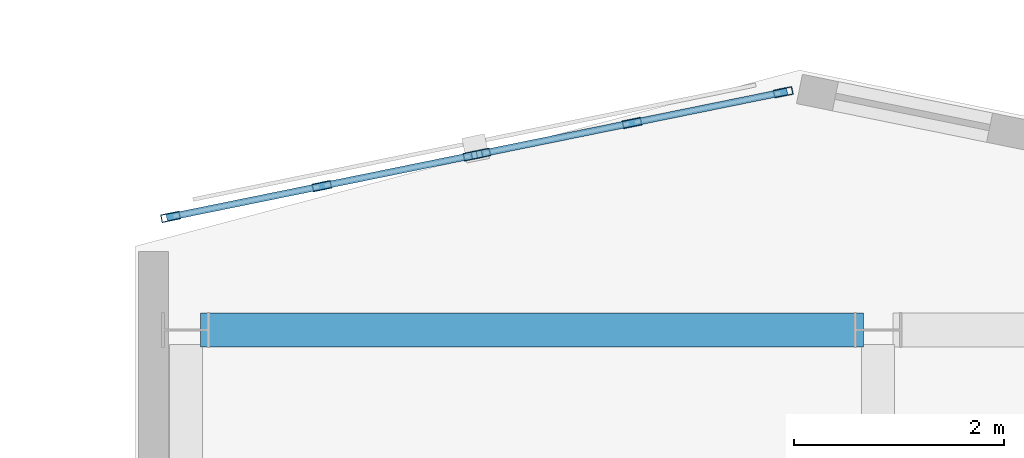
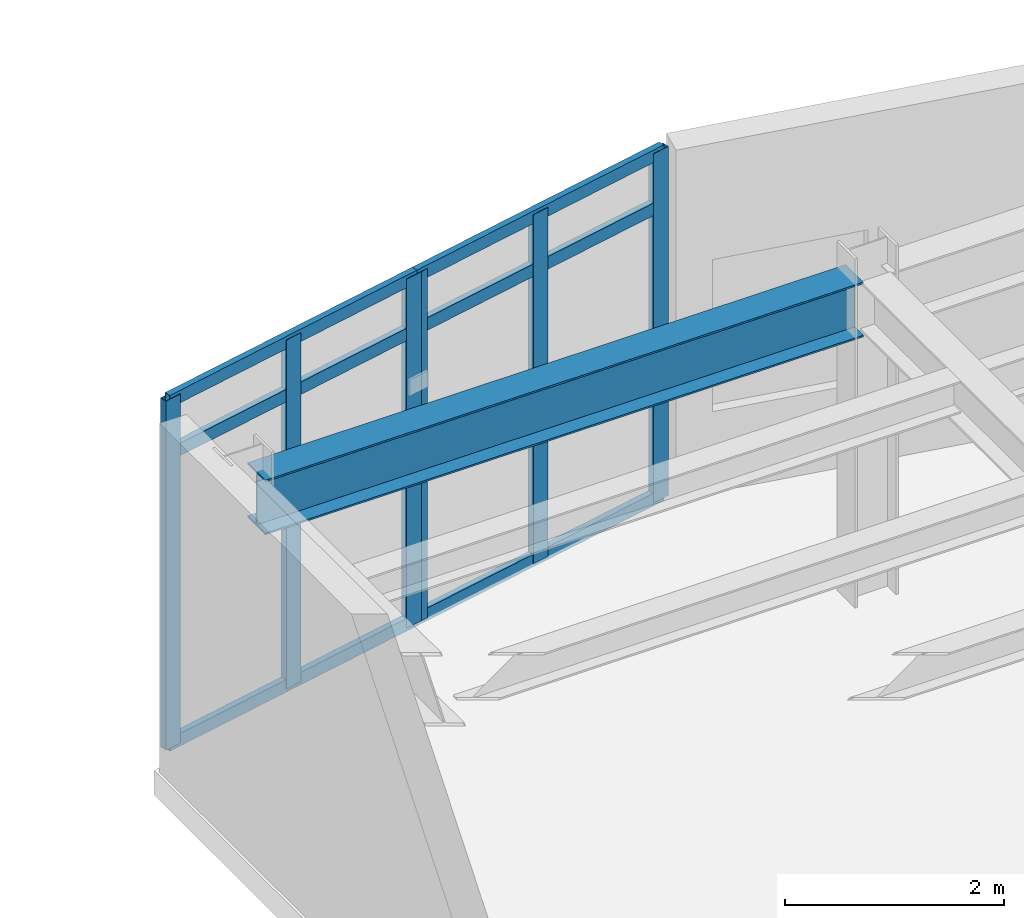
# One storey, part 12 of 46: 12 members, 1 beam, 2 elements without a shape of their own.
"""IFC4 building model written with IfcOpenShell, lengths in metres."""

from ifc_helpers import new_model, si_unit, direction, frame, origin, origin_2d, place, context, subcontext, project, spatial, hollow_rectangle, i_section, extrude, material, layer, layer_set, material_profile, profile_set, type_object, element, aggregate, save


model = new_model("IFC4")

# Units and contexts
model_context = context("Model", 3, precision=1e-05, world=origin(), true_north=direction((0.0, 1.0)))
body_context = subcontext(model_context, "Body", "Model", "MODEL_VIEW")
ifc_project = project(units=[si_unit("LENGTHUNIT", "METRE"), si_unit("AREAUNIT", "SQUARE_METRE"), si_unit("VOLUMEUNIT", "CUBIC_METRE"), si_unit("PLANEANGLEUNIT", "RADIAN"), si_unit("MASSUNIT", "GRAM", prefix="KILO")], contexts=[model_context])

# Site, building, storey
site_placement = place(None, origin())
site = spatial("IfcSite", under=ifc_project, at=site_placement, CompositionType="ELEMENT")
building_placement = place(site_placement, origin())
building = spatial("IfcBuilding", under=site, at=building_placement, Name="Sollismere Congress Hotel", CompositionType="ELEMENT")
storey_placement = place(building_placement, frame((0.0, 0.0, 19.5)))
storey = spatial("IfcBuildingStorey", under=building, at=storey_placement, Name="L04", CompositionType="ELEMENT", Elevation=19.5)

# Beam
ifc_material_1 = material(Name="Steel ASTM A992 Grade 50", Category="steel")
ifc_material_profile_1 = material_profile(ifc_material_1, i_section(OverallWidth=0.324951171875, OverallDepth=0.612060546875, WebThickness=0.0126953125, FlangeThickness=0.01904296875, at=origin_2d()), Name="W24X104")
ifc_profile_set_1 = profile_set([ifc_material_profile_1], Name="Steel ASTM A992 Grade 50")
beam_type = type_object("IfcBeamType", Name="BM-G24", PredefinedType="BEAM", material=ifc_profile_set_1)
beam_placement = place(storey_placement, frame((60.5400390625, 102.39990234375, 3.303955078125), z_axis=(1.0, 0.0, 0.0), x_axis=(0.0, 1.0, 0.0)))
element("IfcBeam", 1, at=beam_placement, inside=storey, type_object=beam_type, Name="Beam BM-L04-2712", PredefinedType="BEAM", context=body_context, shape_type="SweptSolid", body=[
    extrude(i_section(OverallWidth=0.324951171875, OverallDepth=0.612060546875, WebThickness=0.0126953125, FlangeThickness=0.01904296875, at=origin_2d()), origin(), (0.0, 0.0, 1.0), 6.320068359375),
])

# Curtain wall, members
ifc_material_2 = material(Name="Anodized Bronze Curtain Wall & Low-E Triple Glazing", Category="glass")
ifc_layer = layer(ifc_material_2, 0.199951171875, Name="Anodized Bronze Curtain Wall & Low-E Triple Glazing")
ifc_layer_set = layer_set([ifc_layer], Name="Anodized Bronze Curtain Wall & Low-E Triple Glazing")
curtain_wall_type = type_object("IfcCurtainWallType", Name="CW-GLZ36", PredefinedType="USERDEFINED", material=ifc_layer_set)
curtain_wall_1_placement = place(storey_placement, origin())
curtain_wall_1 = element("IfcCurtainWall", 2, at=curtain_wall_1_placement, inside=storey, type_object=curtain_wall_type, Name="Unitised curtain wall CW-L04-113", ObjectType="UNITISED CURTAIN WALL", PredefinedType="USERDEFINED")
ifc_material_3 = material(Name="Anodized Aluminum 6063-T6", Category="aluminium")
ifc_material_profile_2 = material_profile(ifc_material_3, hollow_rectangle(XDim=0.074951171875, YDim=0.179931640625, WallThickness=0.0048828125, at=origin_2d()), Name="ALU180X75X5")
ifc_profile_set_2 = profile_set([ifc_material_profile_2], Name="Anodized Aluminum 6063-T6")
member_type_1 = type_object("IfcMemberType", Name="ML-CW180", PredefinedType="MULLION", material=ifc_profile_set_2)
member_1_placement = place(storey_placement, frame((60.2548828125, 103.478759765625, 0.0), z_axis=(0.0, 0.0, 1.0), x_axis=(-0.199367934417, 0.979924704621, 0.0)))
member_1 = element("IfcMember", 3, at=member_1_placement, type_object=member_type_1, Name="CWL-CW-L04-113-ML01", PredefinedType="MULLION", context=body_context, shape_type="SweptSolid", body=[
    extrude(hollow_rectangle(XDim=0.074951171875, YDim=0.179931640625, WallThickness=0.0048828125, at=origin_2d()), origin(), (0.0, 0.0, 1.0), 3.89990234375),
])
member_2_placement = place(storey_placement, frame((61.6962890625, 103.772216796875, 0.0), z_axis=(0.0, 0.0, 1.0), x_axis=(-0.199367934417, 0.979924704621, 0.0)))
member_2 = element("IfcMember", 4, at=member_2_placement, type_object=member_type_1, Name="CWL-CW-L04-113-ML02", PredefinedType="MULLION", context=body_context, shape_type="SweptSolid", body=[
    extrude(hollow_rectangle(XDim=0.074951171875, YDim=0.179931640625, WallThickness=0.0048828125, at=origin_2d()), origin(), (0.0, 0.0, 1.0), 3.89990234375),
])
member_3_placement = place(storey_placement, frame((63.1376953125, 104.065185546875, 0.0), z_axis=(0.0, 0.0, 1.0), x_axis=(-0.199367934417, 0.979924704621, 0.0)))
member_3 = element("IfcMember", 5, at=member_3_placement, type_object=member_type_1, Name="CWL-CW-L04-113-ML03", PredefinedType="MULLION", context=body_context, shape_type="SweptSolid", body=[
    extrude(hollow_rectangle(XDim=0.074951171875, YDim=0.179931640625, WallThickness=0.0048828125, at=origin_2d()), origin(), (0.0, 0.0, 1.0), 3.89990234375),
])

curtain_wall_2_placement = place(storey_placement, origin())
curtain_wall_2 = element("IfcCurtainWall", 6, at=curtain_wall_2_placement, inside=storey, type_object=curtain_wall_type, Name="Unitised curtain wall CW-L04-114", ObjectType="UNITISED CURTAIN WALL", PredefinedType="USERDEFINED")
member_4_placement = place(storey_placement, frame((63.212158203125, 104.08056640625, 0.0), z_axis=(0.0, 0.0, 1.0), x_axis=(-0.199367934417, 0.979924704621, 0.0)))
member_4 = element("IfcMember", 7, at=member_4_placement, type_object=member_type_1, Name="CWL-CW-L04-114-ML01", PredefinedType="MULLION", context=body_context, shape_type="SweptSolid", body=[
    extrude(hollow_rectangle(XDim=0.074951171875, YDim=0.179931640625, WallThickness=0.0048828125, at=origin_2d()), origin(), (0.0, 0.0, 1.0), 3.89990234375),
])
member_5_placement = place(storey_placement, frame((64.65380859375, 104.373779296875, 0.0), z_axis=(0.0, 0.0, 1.0), x_axis=(-0.199367934417, 0.979924704621, 0.0)))
member_5 = element("IfcMember", 8, at=member_5_placement, type_object=member_type_1, Name="CWL-CW-L04-114-ML02", PredefinedType="MULLION", context=body_context, shape_type="SweptSolid", body=[
    extrude(hollow_rectangle(XDim=0.074951171875, YDim=0.179931640625, WallThickness=0.0048828125, at=origin_2d()), origin(), (0.0, 0.0, 1.0), 3.89990234375),
])
member_6_placement = place(storey_placement, frame((66.09521484375, 104.6669921875, 0.0), z_axis=(0.0, 0.0, 1.0), x_axis=(-0.199367934417, 0.979924704621, 0.0)))
member_6 = element("IfcMember", 9, at=member_6_placement, type_object=member_type_1, Name="CWL-CW-L04-114-ML03", PredefinedType="MULLION", context=body_context, shape_type="SweptSolid", body=[
    extrude(hollow_rectangle(XDim=0.074951171875, YDim=0.179931640625, WallThickness=0.0048828125, at=origin_2d()), origin(), (0.0, 0.0, 1.0), 3.89990234375),
])

# Member
ifc_material_profile_3 = material_profile(ifc_material_3, hollow_rectangle(XDim=0.06494140625, YDim=0.139892578125, WallThickness=0.00390625, at=origin_2d()), Name="ALU140X65X4")
ifc_profile_set_3 = profile_set([ifc_material_profile_3], Name="Anodized Aluminum 6063-T6")
member_type_2 = type_object("IfcMemberType", Name="TR-CW150", PredefinedType="MEMBER", material=ifc_profile_set_3)
member_7_placement = place(storey_placement, frame((60.217529296875, 103.47119140625, 0.032470703125), z_axis=(0.979918717144, 0.199397361545, 0.0), x_axis=(-0.199397361545, 0.979918717144, 0.0)))
member_7 = element("IfcMember", 10, at=member_7_placement, type_object=member_type_2, Name="CWL-CW-L04-113-TR1", PredefinedType="MEMBER", context=body_context, shape_type="SweptSolid", body=[
    extrude(hollow_rectangle(XDim=0.06494140625, YDim=0.139892578125, WallThickness=0.00390625, at=origin_2d()), origin(), (0.0, 0.0, 1.0), 3.01806640625),
])

member_8_placement = place(storey_placement, frame((60.217529296875, 103.47119140625, 3.27587890625), z_axis=(0.979918717144, 0.199397361545, 0.0), x_axis=(-0.199397361545, 0.979918717144, 0.0)))
member_8 = element("IfcMember", 11, at=member_8_placement, type_object=member_type_2, Name="CWL-CW-L04-113-TR2", PredefinedType="MEMBER", context=body_context, shape_type="SweptSolid", body=[
    extrude(hollow_rectangle(XDim=0.06494140625, YDim=0.139892578125, WallThickness=0.00390625, at=origin_2d()), origin(), (0.0, 0.0, 1.0), 3.01806640625),
])

member_9_placement = place(storey_placement, frame((60.217529296875, 103.47119140625, 3.867431640625), z_axis=(0.979918717144, 0.199397361545, 0.0), x_axis=(-0.199397361545, 0.979918717144, 0.0)))
member_9 = element("IfcMember", 12, at=member_9_placement, type_object=member_type_2, Name="CWL-CW-L04-113-TR3", PredefinedType="MEMBER", context=body_context, shape_type="SweptSolid", body=[
    extrude(hollow_rectangle(XDim=0.06494140625, YDim=0.139892578125, WallThickness=0.00390625, at=origin_2d()), origin(), (0.0, 0.0, 1.0), 3.01806640625),
])

aggregate(curtain_wall_1, [member_1, member_2, member_3, member_7, member_8, member_9])

member_10_placement = place(storey_placement, frame((63.175048828125, 104.072998046875, 0.032470703125), z_axis=(0.979931305839, 0.199335485643, 0.0), x_axis=(-0.199335485643, 0.979931305839, 0.0)))
member_10 = element("IfcMember", 13, at=member_10_placement, type_object=member_type_2, Name="CWL-CW-L04-114-TR1", PredefinedType="MEMBER", context=body_context, shape_type="SweptSolid", body=[
    extrude(hollow_rectangle(XDim=0.06494140625, YDim=0.139892578125, WallThickness=0.00390625, at=origin_2d()), origin(), (0.0, 0.0, 1.0), 3.017822265625),
])

member_11_placement = place(storey_placement, frame((63.175048828125, 104.072998046875, 3.27587890625), z_axis=(0.979931305839, 0.199335485643, 0.0), x_axis=(-0.199335485643, 0.979931305839, 0.0)))
member_11 = element("IfcMember", 14, at=member_11_placement, type_object=member_type_2, Name="CWL-CW-L04-114-TR2", PredefinedType="MEMBER", context=body_context, shape_type="SweptSolid", body=[
    extrude(hollow_rectangle(XDim=0.06494140625, YDim=0.139892578125, WallThickness=0.00390625, at=origin_2d()), origin(), (0.0, 0.0, 1.0), 3.017822265625),
])

member_12_placement = place(storey_placement, frame((63.175048828125, 104.072998046875, 3.867431640625), z_axis=(0.979931305839, 0.199335485643, 0.0), x_axis=(-0.199335485643, 0.979931305839, 0.0)))
member_12 = element("IfcMember", 15, at=member_12_placement, type_object=member_type_2, Name="CWL-CW-L04-114-TR3", PredefinedType="MEMBER", context=body_context, shape_type="SweptSolid", body=[
    extrude(hollow_rectangle(XDim=0.06494140625, YDim=0.139892578125, WallThickness=0.00390625, at=origin_2d()), origin(), (0.0, 0.0, 1.0), 3.017822265625),
])

aggregate(curtain_wall_2, [member_4, member_5, member_6, member_10, member_11, member_12])

save(model, "model.ifc")
